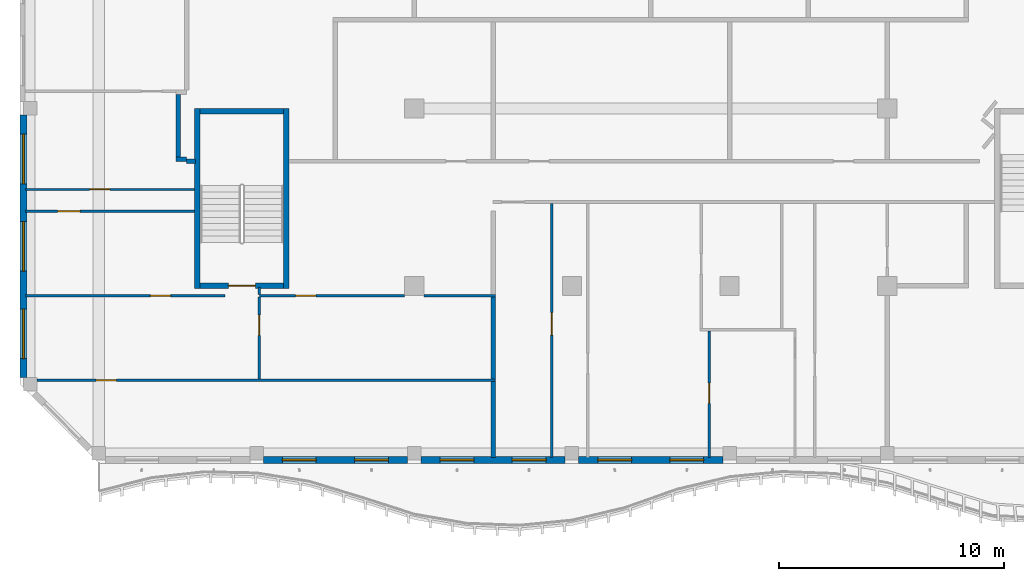
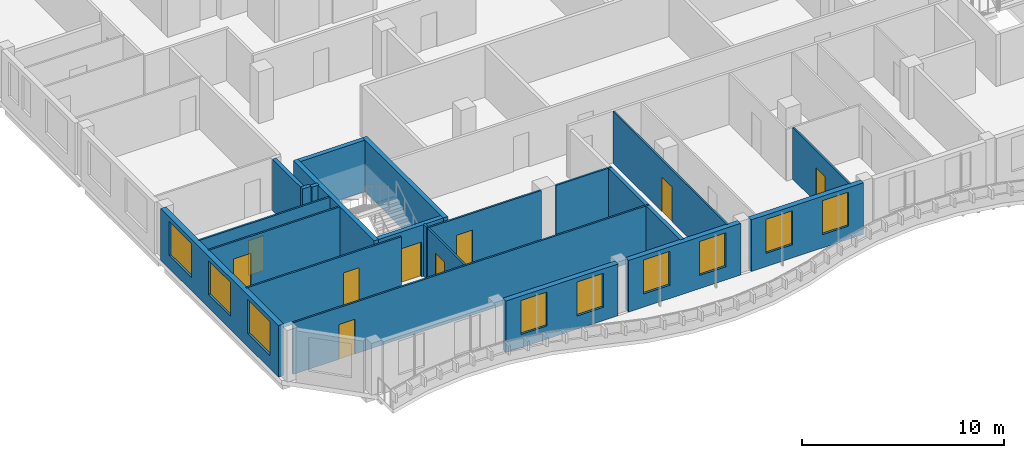
# One storey, part 2 of 17: 23 walls, 9 doors, 9 windows, 18 openings.
"""IFC4 building model written with IfcOpenShell, lengths in metres."""

from ifc_helpers import new_model, si_unit, direction, frame, frame_2d, origin, place, context, subcontext, project, spatial, rectangle, extrude, source, transform, mapped, material, layer, layer_set, type_object, element, fill, save


model = new_model("IFC4")

# Units and contexts
model_context = context("Model", 3, precision=1e-05, world=origin(), true_north=direction((0.0, 1.0)))
body_context = subcontext(model_context, "Body", "Model", "MODEL_VIEW")
ifc_project = project(units=[si_unit("LENGTHUNIT", "METRE"), si_unit("AREAUNIT", "SQUARE_METRE"), si_unit("VOLUMEUNIT", "CUBIC_METRE"), si_unit("PLANEANGLEUNIT", "RADIAN"), si_unit("MASSUNIT", "GRAM", prefix="KILO")], contexts=[model_context])

# Site, building, storey
site_placement = place(None, origin())
site = spatial("IfcSite", under=ifc_project, at=site_placement, CompositionType="ELEMENT")
building_placement = place(site_placement, origin())
building = spatial("IfcBuilding", under=site, at=building_placement, Name="Kilnfold Tower and Market Hall", CompositionType="ELEMENT")
storey_placement = place(building_placement, frame((0.0, 0.0, 308.60009765625)))
storey = spatial("IfcBuildingStorey", under=building, at=storey_placement, Name="L77", CompositionType="ELEMENT", Elevation=308.60009765625)

# Wall, opening, door
ifc_material_1 = material(Name="Gypsum board on steel studs", Category="steel")
ifc_layer_1 = layer(ifc_material_1, 0.10009765625)
ifc_layer_set_1 = layer_set([ifc_layer_1], Name="Gypsum board on steel studs")
wall_type_1 = type_object("IfcWallType", Name="WALL PARTITION 100", PredefinedType="PARTITIONING", material=ifc_layer_set_1)
wall_1_placement = place(storey_placement, frame((-24.75, -19.81201171875, 0.0), z_axis=(0.0, 0.0, 1.0), x_axis=(1.0, 0.0, 0.0)))
wall_1 = element("IfcWall", 1, at=wall_1_placement, inside=storey, type_object=wall_type_1, Name="Partition LY46.24", PredefinedType="PARTITIONING", context=body_context, shape_type="SweptSolid", body=[
    extrude(rectangle(XDim=20.35009765625, YDim=0.10009765625, at=frame_2d((10.175048828125, 0.0))), origin(), (0.0, 0.0, 1.0), 3.119873046875),
])
opening_1_placement = place(wall_1_placement, frame((2.6240234375, 0.0, 0.0)))
opening_1 = element("IfcOpeningElement", 2, at=opening_1_placement, cuts=wall_1, Name="Opening D2", PredefinedType="OPENING", context=body_context, shape_type="SweptSolid", body=[
    extrude(rectangle(XDim=0.89990234375, YDim=2.10009765625, at=frame_2d((0.449951171875, 1.050048828125))), frame((0.0, 0.06005859375, 0.0), z_axis=(0.0, -1.0, 0.0), x_axis=(1.0, 0.0, 0.0)), (0.0, 0.0, 1.0), 0.1201171875),
])
ifc_material_2 = material(Name="Timber veneer door leaf in steel frame", Category="steel")
door_type_1 = type_object("IfcDoorType", Name="DOOR ROOM 900 X2100", OperationType="NOTDEFINED", PredefinedType="DOOR", material=ifc_material_2)
door_1_placement = place(opening_1_placement, origin())
door_1 = element("IfcDoor", 3, at=door_1_placement, inside=storey, type_object=door_type_1, Name="Door D2", OperationType="SINGLE_SWING_LEFT", OverallHeight=2.10009765625, OverallWidth=0.89990234375, PredefinedType="DOOR", context=body_context, shape_type="SweptSolid", body=[
    extrude(rectangle(XDim=0.89990234375, YDim=2.10009765625, at=frame_2d((0.449951171875, 1.050048828125))), frame((0.0, 0.02490234375, 0.0), z_axis=(0.0, -1.0, 0.0), x_axis=(1.0, 0.0, 0.0)), (0.0, 0.0, 1.0), 0.050048828125),
])
fill(opening_1, door_1)

wall_2_placement = place(storey_placement, frame((-14.875, -19.761962890625, 0.0), z_axis=(0.0, 0.0, 1.0), x_axis=(0.0, 1.0, 0.0)))
wall_2 = element("IfcWall", 4, at=wall_2_placement, inside=storey, type_object=wall_type_1, Name="Partition LY46.26", PredefinedType="PARTITIONING", context=body_context, shape_type="SweptSolid", body=[
    extrude(rectangle(XDim=3.64990234375, YDim=0.10009765625, at=frame_2d((1.824951171875, 0.0))), origin(), (0.0, 0.0, 1.0), 3.119873046875),
])
opening_2_placement = place(wall_2_placement, frame((1.93701171875, 0.0, 0.0)))
opening_2 = element("IfcOpeningElement", 5, at=opening_2_placement, cuts=wall_2, Name="Opening D2", PredefinedType="OPENING", context=body_context, shape_type="SweptSolid", body=[
    extrude(rectangle(XDim=0.89990234375, YDim=2.10009765625, at=frame_2d((0.449951171875, 1.050048828125))), frame((0.0, 0.06005859375, 0.0), z_axis=(0.0, -1.0, 0.0), x_axis=(1.0, 0.0, 0.0)), (0.0, 0.0, 1.0), 0.1201171875),
])
door_2_placement = place(opening_2_placement, origin())
door_2 = element("IfcDoor", 6, at=door_2_placement, inside=storey, type_object=door_type_1, Name="Door D2", OperationType="SINGLE_SWING_RIGHT", OverallHeight=2.10009765625, OverallWidth=0.89990234375, PredefinedType="DOOR", context=body_context, shape_type="SweptSolid", body=[
    extrude(rectangle(XDim=0.89990234375, YDim=2.10009765625, at=frame_2d((0.449951171875, 1.050048828125))), frame((0.0, 0.02490234375, 0.0), z_axis=(0.0, -1.0, 0.0), x_axis=(1.0, 0.0, 0.0)), (0.0, 0.0, 1.0), 0.050048828125),
])
fill(opening_2, door_2)

wall_3_placement = place(storey_placement, frame((-25.25, -16.06201171875, 0.0), z_axis=(0.0, 0.0, 1.0), x_axis=(1.0, 0.0, 0.0)))
wall_3 = element("IfcWall", 7, at=wall_3_placement, inside=storey, type_object=wall_type_1, Name="Partition LY46.27", PredefinedType="PARTITIONING", context=body_context, shape_type="SweptSolid", body=[
    extrude(rectangle(XDim=8.85009765625, YDim=0.10009765625, at=frame_2d((4.425048828125, 0.0))), origin(), (0.0, 0.0, 1.0), 3.119873046875),
])
opening_3_placement = place(wall_3_placement, frame((5.534912109375, 0.0, 0.0)))
opening_3 = element("IfcOpeningElement", 8, at=opening_3_placement, cuts=wall_3, Name="Opening D2", PredefinedType="OPENING", context=body_context, shape_type="SweptSolid", body=[
    extrude(rectangle(XDim=0.89990234375, YDim=2.10009765625, at=frame_2d((0.449951171875, 1.050048828125))), frame((0.0, 0.06005859375, 0.0), z_axis=(0.0, -1.0, 0.0), x_axis=(1.0, 0.0, 0.0)), (0.0, 0.0, 1.0), 0.1201171875),
])
door_3_placement = place(opening_3_placement, origin())
door_3 = element("IfcDoor", 9, at=door_3_placement, inside=storey, type_object=door_type_1, Name="Door D2", OperationType="SINGLE_SWING_RIGHT", OverallHeight=2.10009765625, OverallWidth=0.89990234375, PredefinedType="DOOR", context=body_context, shape_type="SweptSolid", body=[
    extrude(rectangle(XDim=0.89990234375, YDim=2.10009765625, at=frame_2d((0.449951171875, 1.050048828125))), frame((0.0, 0.02490234375, 0.0), z_axis=(0.0, -1.0, 0.0), x_axis=(1.0, 0.0, 0.0)), (0.0, 0.0, 1.0), 0.050048828125),
])
fill(opening_3, door_3)

# Wall
wall_4_placement = place(storey_placement, frame((-7.574951171875, -16.06201171875, 0.0), z_axis=(0.0, 0.0, 1.0), x_axis=(1.0, 0.0, 0.0)))
element("IfcWall", 10, at=wall_4_placement, inside=storey, type_object=wall_type_1, Name="Partition LY46.28", PredefinedType="PARTITIONING", context=body_context, shape_type="SweptSolid", body=[
    extrude(rectangle(XDim=3.175048828125, YDim=0.10009765625, at=frame_2d((1.58740234375, 0.0))), origin(), (0.0, 0.0, 1.0), 3.119873046875),
])

# Wall, opening, door
wall_5_placement = place(storey_placement, frame((-14.875, -16.06201171875, 0.0), z_axis=(0.0, 0.0, 1.0), x_axis=(1.0, 0.0, 0.0)))
wall_5 = element("IfcWall", 11, at=wall_5_placement, inside=storey, type_object=wall_type_1, Name="Partition LY46.29", PredefinedType="PARTITIONING", context=body_context, shape_type="SweptSolid", body=[
    extrude(rectangle(XDim=6.449951171875, YDim=0.10009765625, at=frame_2d((3.22509765625, 0.0))), origin(), (0.0, 0.0, 1.0), 3.119873046875),
])
opening_4_placement = place(wall_5_placement, frame((1.614013671875, 0.0, 0.0)))
opening_4 = element("IfcOpeningElement", 12, at=opening_4_placement, cuts=wall_5, Name="Opening D2", PredefinedType="OPENING", context=body_context, shape_type="SweptSolid", body=[
    extrude(rectangle(XDim=0.89990234375, YDim=2.10009765625, at=frame_2d((0.449951171875, 1.050048828125))), frame((0.0, 0.06005859375, 0.0), z_axis=(0.0, -1.0, 0.0), x_axis=(1.0, 0.0, 0.0)), (0.0, 0.0, 1.0), 0.1201171875),
])
door_4_placement = place(opening_4_placement, origin())
door_4 = element("IfcDoor", 13, at=door_4_placement, inside=storey, type_object=door_type_1, Name="Door D2", OperationType="SINGLE_SWING_RIGHT", OverallHeight=2.10009765625, OverallWidth=0.89990234375, PredefinedType="DOOR", context=body_context, shape_type="SweptSolid", body=[
    extrude(rectangle(XDim=0.89990234375, YDim=2.10009765625, at=frame_2d((0.449951171875, 1.050048828125))), frame((0.0, 0.02490234375, 0.0), z_axis=(0.0, -1.0, 0.0), x_axis=(1.0, 0.0, 0.0)), (0.0, 0.0, 1.0), 0.050048828125),
])
fill(opening_4, door_4)

# Wall
wall_6_placement = place(storey_placement, frame((-14.875, -16.011962890625, 0.0), z_axis=(0.0, 0.0, 1.0), x_axis=(0.0, 1.0, 0.0)))
element("IfcWall", 14, at=wall_6_placement, inside=storey, type_object=wall_type_1, Name="Partition LY46.31", PredefinedType="PARTITIONING", context=body_context, shape_type="SweptSolid", body=[
    extrude(rectangle(XDim=0.31201171875, YDim=0.10009765625, at=frame_2d((0.156005859375, 0.0))), origin(), (0.0, 0.0, 1.0), 3.119873046875),
])

# Wall, opening, door
wall_7_placement = place(storey_placement, frame((-17.75, -12.31201171875, 0.0), z_axis=(0.0, 0.0, 1.0), x_axis=(-1.0, 0.0, 0.0)))
wall_7 = element("IfcWall", 15, at=wall_7_placement, inside=storey, type_object=wall_type_1, Name="Partition LY46.32", PredefinedType="PARTITIONING", context=body_context, shape_type="SweptSolid", body=[
    extrude(rectangle(XDim=7.5, YDim=0.10009765625, at=frame_2d((3.75, 0.0))), origin(), (0.0, 0.0, 1.0), 3.119873046875),
])
opening_5_placement = place(wall_7_placement, frame((5.080078125, 0.0, 0.0)))
opening_5 = element("IfcOpeningElement", 16, at=opening_5_placement, cuts=wall_7, Name="Opening D1", PredefinedType="OPENING", context=body_context, shape_type="SweptSolid", body=[
    extrude(rectangle(XDim=1.0, YDim=2.10009765625, at=frame_2d((0.5, 1.050048828125))), frame((0.0, 0.06005859375, 0.0), z_axis=(0.0, -1.0, 0.0), x_axis=(1.0, 0.0, 0.0)), (0.0, 0.0, 1.0), 0.1201171875),
])
ifc_material_3 = material(Name="Timber veneer door leaf in steel frame", Category="steel")
door_type_2 = type_object("IfcDoorType", Name="DOOR ENTRY 1000 X2100", OperationType="NOTDEFINED", PredefinedType="DOOR", material=ifc_material_3)
door_5_placement = place(opening_5_placement, origin())
door_5 = element("IfcDoor", 17, at=door_5_placement, inside=storey, type_object=door_type_2, Name="Door D1", OperationType="SINGLE_SWING_RIGHT", OverallHeight=2.10009765625, OverallWidth=1.0, PredefinedType="DOOR", context=body_context, shape_type="SweptSolid", body=[
    extrude(rectangle(XDim=1.0, YDim=2.10009765625, at=frame_2d((0.5, 1.050048828125))), frame((0.0, 0.02490234375, 0.0), z_axis=(0.0, -1.0, 0.0), x_axis=(1.0, 0.0, 0.0)), (0.0, 0.0, 1.0), 0.050048828125),
])
fill(opening_5, door_5)

wall_8_placement = place(storey_placement, frame((-17.75, -11.342041015625, 0.0), z_axis=(0.0, 0.0, 1.0), x_axis=(-1.0, 0.0, 0.0)))
wall_8 = element("IfcWall", 18, at=wall_8_placement, inside=storey, type_object=wall_type_1, Name="Partition LY46.34", PredefinedType="PARTITIONING", context=body_context, shape_type="SweptSolid", body=[
    extrude(rectangle(XDim=7.5, YDim=0.10009765625, at=frame_2d((3.75, 0.0))), origin(), (0.0, 0.0, 1.0), 3.119873046875),
])
opening_6_placement = place(wall_8_placement, frame((3.757080078125, 0.0, 0.0)))
opening_6 = element("IfcOpeningElement", 19, at=opening_6_placement, cuts=wall_8, Name="Opening D2", PredefinedType="OPENING", context=body_context, shape_type="SweptSolid", body=[
    extrude(rectangle(XDim=0.89990234375, YDim=2.10009765625, at=frame_2d((0.449951171875, 1.050048828125))), frame((0.0, 0.06005859375, 0.0), z_axis=(0.0, -1.0, 0.0), x_axis=(1.0, 0.0, 0.0)), (0.0, 0.0, 1.0), 0.1201171875),
])
door_6_placement = place(opening_6_placement, origin())
door_6 = element("IfcDoor", 20, at=door_6_placement, inside=storey, type_object=door_type_1, Name="Door D2", OperationType="SINGLE_SWING_LEFT", OverallHeight=2.10009765625, OverallWidth=0.89990234375, PredefinedType="DOOR", context=body_context, shape_type="SweptSolid", body=[
    extrude(rectangle(XDim=0.89990234375, YDim=2.10009765625, at=frame_2d((0.449951171875, 1.050048828125))), frame((0.0, 0.02490234375, 0.0), z_axis=(0.0, -1.0, 0.0), x_axis=(1.0, 0.0, 0.0)), (0.0, 0.0, 1.0), 0.050048828125),
])
fill(opening_6, door_6)

wall_9_placement = place(storey_placement, frame((-1.89990234375, -23.25, 0.0), z_axis=(0.0, 0.0, 1.0), x_axis=(0.0, 1.0, 0.0)))
wall_9 = element("IfcWall", 21, at=wall_9_placement, inside=storey, type_object=wall_type_1, Name="Partition LY46.46", PredefinedType="PARTITIONING", context=body_context, shape_type="SweptSolid", body=[
    extrude(rectangle(XDim=11.27294921875, YDim=0.10009765625, at=frame_2d((5.636474609375, 0.0))), origin(), (0.0, 0.0, 1.0), 3.119873046875),
])
opening_7_placement = place(wall_9_placement, frame((5.43896484375, 0.0, 0.0)))
opening_7 = element("IfcOpeningElement", 22, at=opening_7_placement, cuts=wall_9, Name="Opening D1", PredefinedType="OPENING", context=body_context, shape_type="SweptSolid", body=[
    extrude(rectangle(XDim=1.0, YDim=2.10009765625, at=frame_2d((0.5, 1.050048828125))), frame((0.0, 0.06005859375, 0.0), z_axis=(0.0, -1.0, 0.0), x_axis=(1.0, 0.0, 0.0)), (0.0, 0.0, 1.0), 0.1201171875),
])
door_7_placement = place(opening_7_placement, origin())
door_7 = element("IfcDoor", 23, at=door_7_placement, inside=storey, type_object=door_type_2, Name="Door D1", OperationType="SINGLE_SWING_LEFT", OverallHeight=2.10009765625, OverallWidth=1.0, PredefinedType="DOOR", context=body_context, shape_type="SweptSolid", body=[
    extrude(rectangle(XDim=1.0, YDim=2.10009765625, at=frame_2d((0.5, 1.050048828125))), frame((0.0, 0.02490234375, 0.0), z_axis=(0.0, -1.0, 0.0), x_axis=(1.0, 0.0, 0.0)), (0.0, 0.0, 1.0), 0.050048828125),
])
fill(opening_7, door_7)

wall_10_placement = place(storey_placement, frame((5.10009765625, -23.25, 0.0), z_axis=(0.0, 0.0, 1.0), x_axis=(0.0, 1.0, 0.0)))
wall_10 = element("IfcWall", 24, at=wall_10_placement, inside=storey, type_object=wall_type_1, Name="Partition LY46.48", PredefinedType="PARTITIONING", context=body_context, shape_type="SweptSolid", body=[
    extrude(rectangle(XDim=5.6240234375, YDim=0.10009765625, at=frame_2d((2.81201171875, 0.0))), origin(), (0.0, 0.0, 1.0), 3.119873046875),
])
opening_8_placement = place(wall_10_placement, frame((2.412109375, 0.0, 0.0)))
opening_8 = element("IfcOpeningElement", 25, at=opening_8_placement, cuts=wall_10, Name="Opening D2", PredefinedType="OPENING", context=body_context, shape_type="SweptSolid", body=[
    extrude(rectangle(XDim=0.89990234375, YDim=2.10009765625, at=frame_2d((0.449951171875, 1.050048828125))), frame((0.0, 0.06005859375, 0.0), z_axis=(0.0, -1.0, 0.0), x_axis=(1.0, 0.0, 0.0)), (0.0, 0.0, 1.0), 0.1201171875),
])
door_8_placement = place(opening_8_placement, origin())
door_8 = element("IfcDoor", 26, at=door_8_placement, inside=storey, type_object=door_type_1, Name="Door D2", OperationType="SINGLE_SWING_LEFT", OverallHeight=2.10009765625, OverallWidth=0.89990234375, PredefinedType="DOOR", context=body_context, shape_type="SweptSolid", body=[
    extrude(rectangle(XDim=0.89990234375, YDim=2.10009765625, at=frame_2d((0.449951171875, 1.050048828125))), frame((0.0, 0.02490234375, 0.0), z_axis=(0.0, -1.0, 0.0), x_axis=(1.0, 0.0, 0.0)), (0.0, 0.0, 1.0), 0.050048828125),
])
fill(opening_8, door_8)

# Walls
ifc_material_4 = material(Name="Gypsum board on steel studs", Category="steel")
ifc_layer_2 = layer(ifc_material_4, 0.199951171875)
ifc_layer_set_2 = layer_set([ifc_layer_2], Name="Gypsum board on steel studs")
wall_type_2 = type_object("IfcWallType", Name="WALL PARTY 200", PredefinedType="PARTITIONING", material=ifc_layer_set_2)
wall_11_placement = place(storey_placement, frame((-4.5, -23.25, 0.0), z_axis=(0.0, 0.0, 1.0), x_axis=(0.0, 1.0, 0.0)))
element("IfcWall", 27, at=wall_11_placement, inside=storey, type_object=wall_type_2, Name="Partition LY46.25", PredefinedType="PARTITIONING", context=body_context, shape_type="SweptSolid", body=[
    extrude(rectangle(XDim=3.387939453125, YDim=0.199951171875, at=frame_2d((1.69384765625, 0.0))), origin(), (0.0, 0.0, 1.0), 3.119873046875),
])
wall_12_placement = place(storey_placement, frame((-4.5, -19.761962890625, 0.0), z_axis=(0.0, 0.0, 1.0), x_axis=(0.0, 1.0, 0.0)))
element("IfcWall", 28, at=wall_12_placement, inside=storey, type_object=wall_type_2, Name="Partition LY46.30", PredefinedType="PARTITIONING", context=body_context, shape_type="SweptSolid", body=[
    extrude(rectangle(XDim=3.64990234375, YDim=0.199951171875, at=frame_2d((1.824951171875, 0.0))), origin(), (0.0, 0.0, 1.0), 3.119873046875),
])
wall_13_placement = place(storey_placement, frame((-18.48193359375, -9.902099609375, 0.0), z_axis=(0.0, 0.0, 1.0), x_axis=(0.0, 1.0, 0.0)))
element("IfcWall", 29, at=wall_13_placement, inside=storey, type_object=wall_type_2, Name="Partition LY46.37", PredefinedType="PARTITIONING", context=body_context, shape_type="SweptSolid", body=[
    extrude(rectangle(XDim=2.773193359375, YDim=0.199951171875, at=frame_2d((1.38671875, 0.0))), origin(), (0.0, 0.0, 1.0), 3.119873046875),
])
wall_14_placement = place(storey_placement, frame((-18.10009765625, -10.001953125, 0.0), z_axis=(0.0, 0.0, 1.0), x_axis=(-1.0, 0.0, 0.0)))
element("IfcWall", 30, at=wall_14_placement, inside=storey, type_object=wall_type_2, Name="Partition LY46.38", PredefinedType="PARTITIONING", context=body_context, shape_type="SweptSolid", body=[
    extrude(rectangle(XDim=0.48193359375, YDim=0.199951171875, at=frame_2d((0.240966796875, 0.0))), origin(), (0.0, 0.0, 1.0), 3.119873046875),
])
wall_15_placement = place(storey_placement, frame((-17.699951171875, -10.10009765625, 0.0), z_axis=(0.0, 0.0, 1.0), x_axis=(-1.0, 0.0, 0.0)))
element("IfcWall", 31, at=wall_15_placement, inside=storey, type_object=wall_type_2, Name="Partition LY46.39", PredefinedType="PARTITIONING", context=body_context, shape_type="SweptSolid", body=[
    extrude(rectangle(XDim=0.400146484375, YDim=0.199951171875, at=frame_2d((0.2001953125, 0.0))), origin(), (0.0, 0.0, 1.0), 3.119873046875),
])

# Wall, opening, door
ifc_material_5 = material(Name="Concrete C50", Category="concrete")
ifc_layer_3 = layer(ifc_material_5, 0.25)
ifc_layer_set_3 = layer_set([ifc_layer_3], Name="Concrete C50")
wall_type_3 = type_object("IfcWallType", Name="CORE WALL 250 C50", PredefinedType="SHEAR", material=ifc_layer_set_3)
shared_shape_1 = source(origin(), body_context, "Body", "SweptSolid", [
    extrude(rectangle(XDim=3.699951171875, YDim=0.25, at=frame_2d((1.85009765625, 0.0))), origin(), (0.0, 0.0, 1.0), 3.119873046875),
])
wall_16_placement = place(storey_placement, frame((-17.5, -15.625, 0.0), z_axis=(0.0, 0.0, 1.0), x_axis=(1.0, 0.0, 0.0)))
wall_16 = element("IfcWall", 32, at=wall_16_placement, inside=storey, type_object=wall_type_3, Name="Stair enclosure ST3", PredefinedType="SHEAR", context=body_context, shape_type="MappedRepresentation", body=[
    mapped(shared_shape_1, transform((0.0, 0.0, 0.0))),
])
opening_9_placement = place(wall_16_placement, frame((1.25, 0.0, 0.0)))
opening_9 = element("IfcOpeningElement", 33, at=opening_9_placement, cuts=wall_16, Name="Opening SD1", PredefinedType="OPENING", context=body_context, shape_type="SweptSolid", body=[
    extrude(rectangle(XDim=1.199951171875, YDim=2.10009765625, at=frame_2d((0.60009765625, 1.050048828125))), frame((0.0, 0.135009765625, 0.0), z_axis=(0.0, -1.0, 0.0), x_axis=(1.0, 0.0, 0.0)), (0.0, 0.0, 1.0), 0.27001953125),
])
ifc_material_6 = material(Name="Steel door set with fire-resisting leaf", Category="steel")
door_type_3 = type_object("IfcDoorType", Name="STAIR FLOOR DOOR 1200X2100", OperationType="NOTDEFINED", PredefinedType="DOOR", material=ifc_material_6)
door_9_placement = place(opening_9_placement, origin())
door_9 = element("IfcDoor", 34, at=door_9_placement, inside=storey, type_object=door_type_3, Name="Exit stair ST3 door", OperationType="DOUBLE_DOOR_SINGLE_SWING", OverallHeight=2.10009765625, OverallWidth=1.199951171875, PredefinedType="DOOR", context=body_context, shape_type="SweptSolid", body=[
    extrude(rectangle(XDim=1.199951171875, YDim=2.10009765625, at=frame_2d((0.60009765625, 1.050048828125))), frame((0.0, 0.02490234375, 0.0), z_axis=(0.0, -1.0, 0.0), x_axis=(1.0, 0.0, 0.0)), (0.0, 0.0, 1.0), 0.050048828125),
])
fill(opening_9, door_9)

# Walls
wall_17_placement = place(storey_placement, frame((-17.5, -7.875, 0.0), z_axis=(0.0, 0.0, 1.0), x_axis=(1.0, 0.0, 0.0)))
element("IfcWall", 35, at=wall_17_placement, inside=storey, type_object=wall_type_3, Name="Stair enclosure ST3", PredefinedType="SHEAR", context=body_context, shape_type="MappedRepresentation", body=[
    mapped(shared_shape_1, transform((0.0, 0.0, 0.0))),
])
shared_shape_2 = source(origin(), body_context, "Body", "SweptSolid", [
    extrude(rectangle(XDim=8.0, YDim=0.25, at=frame_2d((4.0, 0.0))), origin(), (0.0, 0.0, 1.0), 3.119873046875),
])
for number, where, z_axis, x_axis, name in (
    (36, (-17.625, -15.75, 0.0), (0.0, 0.0, 1.0), (0.0, 1.0, 0.0), "Stair enclosure ST3"),
    (37, (-13.675048828125, -15.75, 0.0), (0.0, 0.0, 1.0), (0.0, 1.0, 0.0), "Stair enclosure ST3"),
):
    element("IfcWall", number, at=place(storey_placement, frame(where, z_axis=z_axis, x_axis=x_axis)), inside=storey, type_object=wall_type_3, Name=name, PredefinedType="SHEAR", context=body_context, shape_type="MappedRepresentation", body=[
        mapped(shared_shape_2, transform((0.0, 0.0, 0.0))),
    ])

# Wall, openings, windows
ifc_material_7 = material(Name="Precast concrete C50/60", Category="concrete")
ifc_layer_4 = layer(ifc_material_7, 0.300048828125)
ifc_layer_set_4 = layer_set([ifc_layer_4], Name="Precast concrete C50/60")
wall_type_4 = type_object("IfcWallType", Name="PRECAST WALL 300", PredefinedType="SOLIDWALL", material=ifc_layer_set_4)
shared_shape_3 = source(origin(), body_context, "Body", "SweptSolid", [
    extrude(rectangle(XDim=6.39990234375, YDim=0.300048828125, at=frame_2d((3.199951171875, 0.0))), origin(), (0.0, 0.0, 1.0), 3.119873046875),
])
wall_18_placement = place(storey_placement, frame((-14.699951171875, -23.35009765625, 0.0), z_axis=(0.0, 0.0, 1.0), x_axis=(1.0, 0.0, 0.0)))
wall_18 = element("IfcWall", 38, at=wall_18_placement, inside=storey, type_object=wall_type_4, Name="External wall L77 S", PredefinedType="SOLIDWALL", context=body_context, shape_type="MappedRepresentation", body=[
    mapped(shared_shape_3, transform((0.0, 0.0, 0.0))),
])
opening_10_placement = place(wall_18_placement, frame((0.85009765625, 0.0, 0.800048828125)))
opening_10 = element("IfcOpeningElement", 39, at=opening_10_placement, cuts=wall_18, Name="Opening W5", PredefinedType="OPENING", context=body_context, shape_type="SweptSolid", body=[
    extrude(rectangle(XDim=1.5, YDim=2.050048828125, at=frame_2d((0.75, 1.02490234375))), frame((0.0, 0.16015625, 0.0), z_axis=(0.0, -1.0, 0.0), x_axis=(1.0, 0.0, 0.0)), (0.0, 0.0, 1.0), 0.320068359375),
])
opening_11_placement = place(wall_18_placement, frame((4.050048828125, 0.0, 0.800048828125)))
opening_11 = element("IfcOpeningElement", 40, at=opening_11_placement, cuts=wall_18, Name="Opening W5", PredefinedType="OPENING", context=body_context, shape_type="SweptSolid", body=[
    extrude(rectangle(XDim=1.5, YDim=2.050048828125, at=frame_2d((0.75, 1.02490234375))), frame((0.0, 0.16015625, 0.0), z_axis=(0.0, -1.0, 0.0), x_axis=(1.0, 0.0, 0.0)), (0.0, 0.0, 1.0), 0.320068359375),
])
ifc_material_8 = material(Name="Aluminium frame and double glazing", Category="aluminium")
window_type_1 = type_object("IfcWindowType", Name="WINDOW W5 1500X2050", PartitioningType="SINGLE_PANEL", PredefinedType="WINDOW", material=ifc_material_8)
window_1_placement = place(opening_10_placement, origin())
window_1 = element("IfcWindow", 41, at=window_1_placement, inside=storey, type_object=window_type_1, Name="Window W5 L77 S-1", OverallHeight=2.050048828125, OverallWidth=1.5, PartitioningType="SINGLE_PANEL", PredefinedType="WINDOW", context=body_context, shape_type="SweptSolid", body=[
    extrude(rectangle(XDim=1.5, YDim=2.050048828125, at=frame_2d((0.75, 1.02490234375))), frame((0.0, 0.030029296875, 0.0), z_axis=(0.0, -1.0, 0.0), x_axis=(1.0, 0.0, 0.0)), (0.0, 0.0, 1.0), 0.06005859375),
])
fill(opening_10, window_1)
window_2_placement = place(opening_11_placement, origin())
window_2 = element("IfcWindow", 42, at=window_2_placement, inside=storey, type_object=window_type_1, Name="Window W5 L77 S-2", OverallHeight=2.050048828125, OverallWidth=1.5, PartitioningType="SINGLE_PANEL", PredefinedType="WINDOW", context=body_context, shape_type="SweptSolid", body=[
    extrude(rectangle(XDim=1.5, YDim=2.050048828125, at=frame_2d((0.75, 1.02490234375))), frame((0.0, 0.030029296875, 0.0), z_axis=(0.0, -1.0, 0.0), x_axis=(1.0, 0.0, 0.0)), (0.0, 0.0, 1.0), 0.06005859375),
])
fill(opening_11, window_2)

wall_19_placement = place(storey_placement, frame((-7.699951171875, -23.35009765625, 0.0), z_axis=(0.0, 0.0, 1.0), x_axis=(1.0, 0.0, 0.0)))
wall_19 = element("IfcWall", 43, at=wall_19_placement, inside=storey, type_object=wall_type_4, Name="External wall L77 S", PredefinedType="SOLIDWALL", context=body_context, shape_type="MappedRepresentation", body=[
    mapped(shared_shape_3, transform((0.0, 0.0, 0.0))),
])
opening_12_placement = place(wall_19_placement, frame((0.85009765625, 0.0, 0.800048828125)))
opening_12 = element("IfcOpeningElement", 44, at=opening_12_placement, cuts=wall_19, Name="Opening W5", PredefinedType="OPENING", context=body_context, shape_type="SweptSolid", body=[
    extrude(rectangle(XDim=1.5, YDim=2.050048828125, at=frame_2d((0.75, 1.02490234375))), frame((0.0, 0.16015625, 0.0), z_axis=(0.0, -1.0, 0.0), x_axis=(1.0, 0.0, 0.0)), (0.0, 0.0, 1.0), 0.320068359375),
])
opening_13_placement = place(wall_19_placement, frame((4.050048828125, 0.0, 0.800048828125)))
opening_13 = element("IfcOpeningElement", 45, at=opening_13_placement, cuts=wall_19, Name="Opening W5", PredefinedType="OPENING", context=body_context, shape_type="SweptSolid", body=[
    extrude(rectangle(XDim=1.5, YDim=2.050048828125, at=frame_2d((0.75, 1.02490234375))), frame((0.0, 0.16015625, 0.0), z_axis=(0.0, -1.0, 0.0), x_axis=(1.0, 0.0, 0.0)), (0.0, 0.0, 1.0), 0.320068359375),
])
window_3_placement = place(opening_12_placement, origin())
window_3 = element("IfcWindow", 46, at=window_3_placement, inside=storey, type_object=window_type_1, Name="Window W5 L77 S-1", OverallHeight=2.050048828125, OverallWidth=1.5, PartitioningType="SINGLE_PANEL", PredefinedType="WINDOW", context=body_context, shape_type="SweptSolid", body=[
    extrude(rectangle(XDim=1.5, YDim=2.050048828125, at=frame_2d((0.75, 1.02490234375))), frame((0.0, 0.030029296875, 0.0), z_axis=(0.0, -1.0, 0.0), x_axis=(1.0, 0.0, 0.0)), (0.0, 0.0, 1.0), 0.06005859375),
])
fill(opening_12, window_3)
window_4_placement = place(opening_13_placement, origin())
window_4 = element("IfcWindow", 47, at=window_4_placement, inside=storey, type_object=window_type_1, Name="Window W5 L77 S-2", OverallHeight=2.050048828125, OverallWidth=1.5, PartitioningType="SINGLE_PANEL", PredefinedType="WINDOW", context=body_context, shape_type="SweptSolid", body=[
    extrude(rectangle(XDim=1.5, YDim=2.050048828125, at=frame_2d((0.75, 1.02490234375))), frame((0.0, 0.030029296875, 0.0), z_axis=(0.0, -1.0, 0.0), x_axis=(1.0, 0.0, 0.0)), (0.0, 0.0, 1.0), 0.06005859375),
])
fill(opening_13, window_4)

wall_20_placement = place(storey_placement, frame((-0.699951171875, -23.35009765625, 0.0), z_axis=(0.0, 0.0, 1.0), x_axis=(1.0, 0.0, 0.0)))
wall_20 = element("IfcWall", 48, at=wall_20_placement, inside=storey, type_object=wall_type_4, Name="External wall L77 S", PredefinedType="SOLIDWALL", context=body_context, shape_type="MappedRepresentation", body=[
    mapped(shared_shape_3, transform((0.0, 0.0, 0.0))),
])
opening_14_placement = place(wall_20_placement, frame((0.85009765625, 0.0, 0.800048828125)))
opening_14 = element("IfcOpeningElement", 49, at=opening_14_placement, cuts=wall_20, Name="Opening W5", PredefinedType="OPENING", context=body_context, shape_type="SweptSolid", body=[
    extrude(rectangle(XDim=1.5, YDim=2.050048828125, at=frame_2d((0.75, 1.02490234375))), frame((0.0, 0.16015625, 0.0), z_axis=(0.0, -1.0, 0.0), x_axis=(1.0, 0.0, 0.0)), (0.0, 0.0, 1.0), 0.320068359375),
])
opening_15_placement = place(wall_20_placement, frame((4.050048828125, 0.0, 0.800048828125)))
opening_15 = element("IfcOpeningElement", 50, at=opening_15_placement, cuts=wall_20, Name="Opening W5", PredefinedType="OPENING", context=body_context, shape_type="SweptSolid", body=[
    extrude(rectangle(XDim=1.5, YDim=2.050048828125, at=frame_2d((0.75, 1.02490234375))), frame((0.0, 0.16015625, 0.0), z_axis=(0.0, -1.0, 0.0), x_axis=(1.0, 0.0, 0.0)), (0.0, 0.0, 1.0), 0.320068359375),
])
window_5_placement = place(opening_14_placement, origin())
window_5 = element("IfcWindow", 51, at=window_5_placement, inside=storey, type_object=window_type_1, Name="Window W5 L77 S-1", OverallHeight=2.050048828125, OverallWidth=1.5, PartitioningType="SINGLE_PANEL", PredefinedType="WINDOW", context=body_context, shape_type="SweptSolid", body=[
    extrude(rectangle(XDim=1.5, YDim=2.050048828125, at=frame_2d((0.75, 1.02490234375))), frame((0.0, 0.030029296875, 0.0), z_axis=(0.0, -1.0, 0.0), x_axis=(1.0, 0.0, 0.0)), (0.0, 0.0, 1.0), 0.06005859375),
])
fill(opening_14, window_5)
window_6_placement = place(opening_15_placement, origin())
window_6 = element("IfcWindow", 52, at=window_6_placement, inside=storey, type_object=window_type_1, Name="Window W5 L77 S-2", OverallHeight=2.050048828125, OverallWidth=1.5, PartitioningType="SINGLE_PANEL", PredefinedType="WINDOW", context=body_context, shape_type="SweptSolid", body=[
    extrude(rectangle(XDim=1.5, YDim=2.050048828125, at=frame_2d((0.75, 1.02490234375))), frame((0.0, 0.030029296875, 0.0), z_axis=(0.0, -1.0, 0.0), x_axis=(1.0, 0.0, 0.0)), (0.0, 0.0, 1.0), 0.06005859375),
])
fill(opening_15, window_6)

shared_shape_4 = source(origin(), body_context, "Body", "SweptSolid", [
    extrude(rectangle(XDim=11.64990234375, YDim=0.300048828125, at=frame_2d((5.824951171875, 0.0))), origin(), (0.0, 0.0, 1.0), 3.119873046875),
])
wall_21_placement = place(storey_placement, frame((-25.35009765625, -8.050048828125, 0.0), z_axis=(0.0, 0.0, 1.0), x_axis=(0.0, -1.0, 0.0)))
wall_21 = element("IfcWall", 53, at=wall_21_placement, inside=storey, type_object=wall_type_4, Name="External wall L77 W", PredefinedType="SOLIDWALL", context=body_context, shape_type="MappedRepresentation", body=[
    mapped(shared_shape_4, transform((0.0, 0.0, 0.0))),
])
opening_16_placement = place(wall_21_placement, frame((0.841552734375, 0.0, 0.800048828125)))
opening_16 = element("IfcOpeningElement", 54, at=opening_16_placement, cuts=wall_21, Name="Opening W3", PredefinedType="OPENING", context=body_context, shape_type="SweptSolid", body=[
    extrude(rectangle(XDim=2.199951171875, YDim=2.050048828125, at=frame_2d((1.10009765625, 1.02490234375))), frame((0.0, 0.16015625, 0.0), z_axis=(0.0, -1.0, 0.0), x_axis=(1.0, 0.0, 0.0)), (0.0, 0.0, 1.0), 0.320068359375),
])
opening_17_placement = place(wall_21_placement, frame((4.72509765625, 0.0, 0.800048828125)))
opening_17 = element("IfcOpeningElement", 55, at=opening_17_placement, cuts=wall_21, Name="Opening W3", PredefinedType="OPENING", context=body_context, shape_type="SweptSolid", body=[
    extrude(rectangle(XDim=2.199951171875, YDim=2.050048828125, at=frame_2d((1.10009765625, 1.02490234375))), frame((0.0, 0.16015625, 0.0), z_axis=(0.0, -1.0, 0.0), x_axis=(1.0, 0.0, 0.0)), (0.0, 0.0, 1.0), 0.320068359375),
])
opening_18_placement = place(wall_21_placement, frame((8.6083984375, 0.0, 0.800048828125)))
opening_18 = element("IfcOpeningElement", 56, at=opening_18_placement, cuts=wall_21, Name="Opening W3", PredefinedType="OPENING", context=body_context, shape_type="SweptSolid", body=[
    extrude(rectangle(XDim=2.199951171875, YDim=2.050048828125, at=frame_2d((1.10009765625, 1.02490234375))), frame((0.0, 0.16015625, 0.0), z_axis=(0.0, -1.0, 0.0), x_axis=(1.0, 0.0, 0.0)), (0.0, 0.0, 1.0), 0.320068359375),
])
ifc_material_9 = material(Name="Aluminium frame and double glazing", Category="aluminium")
window_type_2 = type_object("IfcWindowType", Name="WINDOW W3 2200X2050", PartitioningType="SINGLE_PANEL", PredefinedType="WINDOW", material=ifc_material_9)
window_7_placement = place(opening_16_placement, origin())
window_7 = element("IfcWindow", 57, at=window_7_placement, inside=storey, type_object=window_type_2, Name="Window W3 L77 W-1", OverallHeight=2.050048828125, OverallWidth=2.199951171875, PartitioningType="SINGLE_PANEL", PredefinedType="WINDOW", context=body_context, shape_type="SweptSolid", body=[
    extrude(rectangle(XDim=2.199951171875, YDim=2.050048828125, at=frame_2d((1.10009765625, 1.02490234375))), frame((0.0, 0.030029296875, 0.0), z_axis=(0.0, -1.0, 0.0), x_axis=(1.0, 0.0, 0.0)), (0.0, 0.0, 1.0), 0.06005859375),
])
fill(opening_16, window_7)
window_8_placement = place(opening_17_placement, origin())
window_8 = element("IfcWindow", 58, at=window_8_placement, inside=storey, type_object=window_type_2, Name="Window W3 L77 W-2", OverallHeight=2.050048828125, OverallWidth=2.199951171875, PartitioningType="SINGLE_PANEL", PredefinedType="WINDOW", context=body_context, shape_type="SweptSolid", body=[
    extrude(rectangle(XDim=2.199951171875, YDim=2.050048828125, at=frame_2d((1.10009765625, 1.02490234375))), frame((0.0, 0.030029296875, 0.0), z_axis=(0.0, -1.0, 0.0), x_axis=(1.0, 0.0, 0.0)), (0.0, 0.0, 1.0), 0.06005859375),
])
fill(opening_17, window_8)
window_9_placement = place(opening_18_placement, origin())
window_9 = element("IfcWindow", 59, at=window_9_placement, inside=storey, type_object=window_type_2, Name="Window W3 L77 W-3", OverallHeight=2.050048828125, OverallWidth=2.199951171875, PartitioningType="SINGLE_PANEL", PredefinedType="WINDOW", context=body_context, shape_type="SweptSolid", body=[
    extrude(rectangle(XDim=2.199951171875, YDim=2.050048828125, at=frame_2d((1.10009765625, 1.02490234375))), frame((0.0, 0.030029296875, 0.0), z_axis=(0.0, -1.0, 0.0), x_axis=(1.0, 0.0, 0.0)), (0.0, 0.0, 1.0), 0.06005859375),
])
fill(opening_18, window_9)

save(model, "model.ifc")
